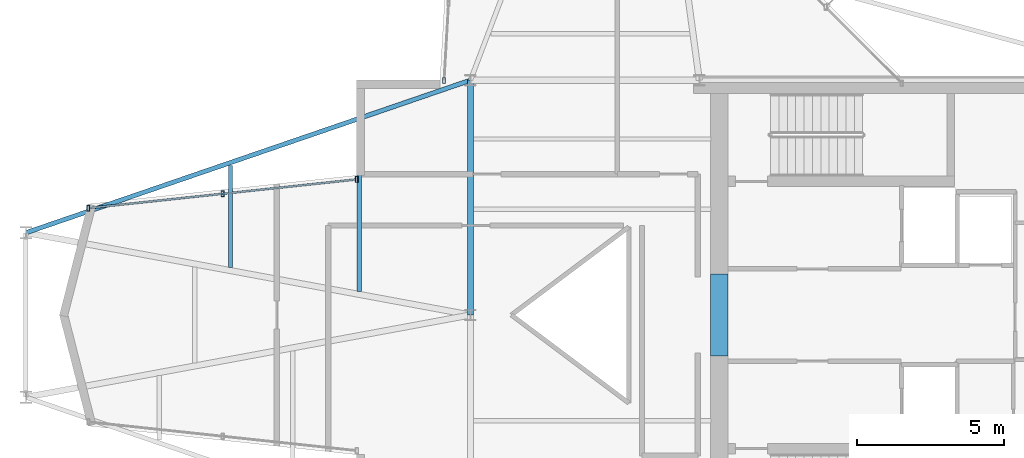
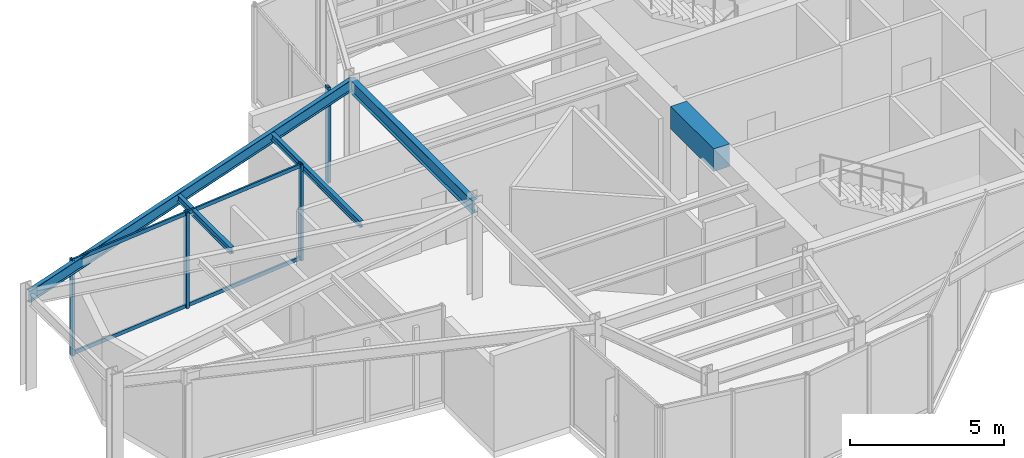
# One storey, part 4 of 13: 6 members, 5 beams, 2 elements without a shape of their own.
"""IFC4 building model written with IfcOpenShell, lengths in metres."""

from ifc_helpers import new_model, si_unit, direction, frame, origin, origin_2d, place, context, subcontext, project, spatial, rectangle, hollow_rectangle, i_section, extrude, material, layer, layer_set, material_profile, profile_set, type_object, element, aggregate, save


model = new_model("IFC4")

# Units and contexts
model_context = context("Model", 3, precision=1e-05, world=origin(), true_north=direction((0.0, 1.0)))
body_context = subcontext(model_context, "Body", "Model", "MODEL_VIEW")
ifc_project = project(units=[si_unit("LENGTHUNIT", "METRE"), si_unit("AREAUNIT", "SQUARE_METRE"), si_unit("VOLUMEUNIT", "CUBIC_METRE"), si_unit("PLANEANGLEUNIT", "RADIAN"), si_unit("MASSUNIT", "GRAM", prefix="KILO")], contexts=[model_context])

# Site, building, storey
site_placement = place(None, origin())
site = spatial("IfcSite", under=ifc_project, at=site_placement, CompositionType="ELEMENT")
building_placement = place(site_placement, origin())
building = spatial("IfcBuilding", under=site, at=building_placement, Name="Veymaron Broadcast Tower", CompositionType="ELEMENT")
storey_placement = place(building_placement, frame((0.0, 0.0, 307.35009765625)))
storey = spatial("IfcBuildingStorey", under=building, at=storey_placement, Name="L72", CompositionType="ELEMENT", Elevation=307.35009765625)

# Beams
ifc_material_1 = material(Name="Concrete C60/75", Category="concrete")
ifc_material_profile_1 = material_profile(ifc_material_1, rectangle(XDim=0.60009765625, YDim=0.89990234375, at=origin_2d()), Name="RC600X900")
ifc_profile_set_1 = profile_set([ifc_material_profile_1], Name="Concrete C60/75")
beam_type_1 = type_object("IfcBeamType", Name="BM-CB2", PredefinedType="LINTEL", material=ifc_profile_set_1)
beam_1_placement = place(storey_placement, frame((39.679931640625, 22.60009765625, 3.35986328125), z_axis=(0.0, 1.0, 0.0), x_axis=(-1.0, 0.0, 0.0)))
element("IfcBeam", 1, at=beam_1_placement, inside=storey, type_object=beam_type_1, Name="L72 Core Wall west coupling beam", PredefinedType="LINTEL", context=body_context, shape_type="SweptSolid", body=[
    extrude(rectangle(XDim=0.60009765625, YDim=0.89990234375, at=origin_2d()), origin(), (0.0, 0.0, 1.0), 2.7998046875),
])
ifc_material_2 = material(Name="Structural steel ASTM A992 Gr 50", Category="steel")
ifc_material_profile_2 = material_profile(ifc_material_2, i_section(OverallWidth=0.208984375, OverallDepth=0.528076171875, WebThickness=0.009521484375, FlangeThickness=0.01318359375, at=origin_2d()), Name="W530X82")
ifc_profile_set_2 = profile_set([ifc_material_profile_2], Name="Structural steel ASTM A992 Gr 50")
beam_type_2 = type_object("IfcBeamType", Name="BM-FG4", PredefinedType="BEAM", material=ifc_profile_set_2)
beam_2_placement = place(storey_placement, frame((31.199951171875, 24.0, 3.5458984375), z_axis=(0.0, 1.0, 0.0), x_axis=(-1.0, 0.0, 0.0)))
element("IfcBeam", 2, at=beam_2_placement, inside=storey, type_object=beam_type_2, Name="L72 primary structural floor girder", PredefinedType="BEAM", context=body_context, shape_type="SweptSolid", body=[
    extrude(i_section(OverallWidth=0.208984375, OverallDepth=0.528076171875, WebThickness=0.009521484375, FlangeThickness=0.01318359375, at=origin_2d()), origin(), (0.0, 0.0, 1.0), 8.0),
])
ifc_material_profile_3 = material_profile(ifc_material_2, i_section(OverallWidth=0.14599609375, OverallDepth=0.258056640625, WebThickness=0.006103515625, FlangeThickness=0.009033203125, at=origin_2d()), Name="W250X33")
ifc_profile_set_3 = profile_set([ifc_material_profile_3], Name="Structural steel ASTM A992 Gr 50")
beam_type_3 = type_object("IfcBeamType", Name="BM-JS4", PredefinedType="JOIST", material=ifc_profile_set_3)
beam_3_placement = place(storey_placement, frame((23.020263671875, 25.613037109375, 3.680908203125), z_axis=(0.0, 1.0, 0.0), x_axis=(-1.0, 0.0, 0.0)))
element("IfcBeam", 3, at=beam_3_placement, inside=storey, type_object=beam_type_3, Name="L72 Arm-A secondary joist 1N", PredefinedType="JOIST", context=body_context, shape_type="SweptSolid", body=[
    extrude(i_section(OverallWidth=0.14599609375, OverallDepth=0.258056640625, WebThickness=0.006103515625, FlangeThickness=0.009033203125, at=origin_2d()), origin(), (0.0, 0.0, 1.0), 3.47998046875),
])
beam_4_placement = place(storey_placement, frame((27.4130859375, 24.800537109375, 3.680908203125), z_axis=(0.0, 1.0, 0.0), x_axis=(-1.0, 0.0, 0.0)))
element("IfcBeam", 4, at=beam_4_placement, inside=storey, type_object=beam_type_3, Name="L72 Arm-A secondary joist 2N", PredefinedType="JOIST", context=body_context, shape_type="SweptSolid", body=[
    extrude(i_section(OverallWidth=0.14599609375, OverallDepth=0.258056640625, WebThickness=0.006103515625, FlangeThickness=0.009033203125, at=origin_2d()), origin(), (0.0, 0.0, 1.0), 5.800048828125),
])
ifc_material_profile_4 = material_profile(ifc_material_2, i_section(OverallWidth=0.154052734375, OverallDepth=0.458984375, WebThickness=0.009033203125, FlangeThickness=0.015380859375, at=origin_2d()), Name="W460X68")
ifc_profile_set_4 = profile_set([ifc_material_profile_4], Name="Structural steel ASTM A992 Gr 50")
beam_type_4 = type_object("IfcBeamType", Name="BM-SP2", PredefinedType="SPANDREL", material=ifc_profile_set_4)
beam_5_placement = place(storey_placement, frame((16.052490234375, 26.802001953125, 3.580322265625), z_axis=(0.94585811637, 0.324580380949, 0.0), x_axis=(-0.324580380949, 0.94585811637, 0.0)))
element("IfcBeam", 5, at=beam_5_placement, inside=storey, type_object=beam_type_4, Name="L72 primary structural floor girder", PredefinedType="SPANDREL", context=body_context, shape_type="SweptSolid", body=[
    extrude(i_section(OverallWidth=0.154052734375, OverallDepth=0.458984375, WebThickness=0.009033203125, FlangeThickness=0.015380859375, at=origin_2d()), origin(), (0.0, 0.0, 1.0), 16.014404296875),
])

# Curtain wall, member
ifc_material_3 = material(Name="Anodised aluminium AA 6063-T6 and laminated low-E dark glass", Category="aluminium")
ifc_layer = layer(ifc_material_3, 0.179931640625)
ifc_layer_set = layer_set([ifc_layer], Name="Anodised aluminium AA 6063-T6 and laminated low-E dark glass")
curtain_wall_type = type_object("IfcCurtainWallType", Name="CW-SYS-06", PredefinedType="NOTDEFINED", material=ifc_layer_set)
curtain_wall_1_placement = place(storey_placement, origin())
curtain_wall_1 = element("IfcCurtainWall", 6, at=curtain_wall_1_placement, inside=storey, type_object=curtain_wall_type, Name="L72 dark-glass curtain wall CW-L72-E8-1", PredefinedType="NOTDEFINED")
ifc_material_4 = material(Name="Anodised aluminium AA 6063-T6", Category="aluminium")
ifc_material_profile_5 = material_profile(ifc_material_4, hollow_rectangle(XDim=0.10009765625, YDim=0.199951171875, WallThickness=0.010009765625, at=origin_2d()), Name="RHS200X100X10")
ifc_profile_set_5 = profile_set([ifc_material_profile_5], Name="Anodised aluminium AA 6063-T6")
member_type_1 = type_object("IfcMemberType", Name="CW-MUL-01", PredefinedType="MULLION", material=ifc_profile_set_5)
member_1_placement = place(storey_placement, frame((30.2998046875, 31.991943359375, 0.0), z_axis=(0.0, 0.0, 1.0), x_axis=(1.0, 0.0, 0.0)))
member_1 = element("IfcMember", 7, at=member_1_placement, type_object=member_type_1, Name="CW-L72-E8-1 mullion 2", PredefinedType="MULLION", context=body_context, shape_type="SweptSolid", body=[
    extrude(hollow_rectangle(XDim=0.10009765625, YDim=0.199951171875, WallThickness=0.010009765625, at=origin_2d()), origin(), (0.0, 0.0, 1.0), 3.809814453125),
])
aggregate(curtain_wall_1, [member_1])

# Curtain wall, members
curtain_wall_2_placement = place(storey_placement, origin())
curtain_wall_2 = element("IfcCurtainWall", 8, at=curtain_wall_2_placement, inside=storey, type_object=curtain_wall_type, Name="L72 dark-glass curtain wall CW-L72-E11-1", PredefinedType="NOTDEFINED")
member_2_placement = place(storey_placement, frame((27.32861328125, 28.62060546875, 0.0), z_axis=(0.0, 0.0, 1.0), x_axis=(1.0, 0.0, 0.0)))
member_2 = element("IfcMember", 9, at=member_2_placement, type_object=member_type_1, Name="CW-L72-E11-1 mullion 0", PredefinedType="MULLION", context=body_context, shape_type="SweptSolid", body=[
    extrude(hollow_rectangle(XDim=0.10009765625, YDim=0.199951171875, WallThickness=0.010009765625, at=origin_2d()), origin(), (0.0, 0.0, 1.0), 3.809814453125),
])
member_3_placement = place(storey_placement, frame((22.751708984375, 28.130859375, 0.0), z_axis=(0.0, 0.0, 1.0), x_axis=(1.0, 0.0, 0.0)))
member_3 = element("IfcMember", 10, at=member_3_placement, type_object=member_type_1, Name="CW-L72-E11-1 mullion 1", PredefinedType="MULLION", context=body_context, shape_type="SweptSolid", body=[
    extrude(hollow_rectangle(XDim=0.10009765625, YDim=0.199951171875, WallThickness=0.010009765625, at=origin_2d()), origin(), (0.0, 0.0, 1.0), 3.809814453125),
])
member_4_placement = place(storey_placement, frame((18.1748046875, 27.64111328125, 0.0), z_axis=(0.0, 0.0, 1.0), x_axis=(1.0, 0.0, 0.0)))
member_4 = element("IfcMember", 11, at=member_4_placement, type_object=member_type_1, Name="CW-L72-E11-1 mullion 2", PredefinedType="MULLION", context=body_context, shape_type="SweptSolid", body=[
    extrude(hollow_rectangle(XDim=0.10009765625, YDim=0.199951171875, WallThickness=0.010009765625, at=origin_2d()), origin(), (0.0, 0.0, 1.0), 3.809814453125),
])
ifc_material_profile_6 = material_profile(ifc_material_4, hollow_rectangle(XDim=0.06494140625, YDim=0.14990234375, WallThickness=0.00390625, at=origin_2d()), Name="AL150X65X4")
ifc_profile_set_6 = profile_set([ifc_material_profile_6], Name="Anodised aluminium AA 6063-T6")
member_type_2 = type_object("IfcMemberType", Name="CW-TRN-01", PredefinedType="USERDEFINED", material=ifc_profile_set_6)
member_5_placement = place(storey_placement, frame((27.27880859375, 28.615478515625, 0.06982421875), z_axis=(-0.994319089673, -0.106440349081, 0.0), x_axis=(0.106440349081, -0.994319089673, 0.0)))
member_5 = element("IfcMember", 12, at=member_5_placement, type_object=member_type_2, Name="CW-L72-E11-1 transom B", ObjectType="TRANSOM", PredefinedType="USERDEFINED", context=body_context, shape_type="SweptSolid", body=[
    extrude(hollow_rectangle(XDim=0.06494140625, YDim=0.14990234375, WallThickness=0.00390625, at=origin_2d()), origin(), (0.0, 0.0, 1.0), 9.10595703125),
])
member_6_placement = place(storey_placement, frame((27.27880859375, 28.615478515625, 3.739990234375), z_axis=(-0.994319089673, -0.106440349081, 0.0), x_axis=(0.106440349081, -0.994319089673, 0.0)))
member_6 = element("IfcMember", 13, at=member_6_placement, type_object=member_type_2, Name="CW-L72-E11-1 transom T", ObjectType="TRANSOM", PredefinedType="USERDEFINED", context=body_context, shape_type="SweptSolid", body=[
    extrude(hollow_rectangle(XDim=0.06494140625, YDim=0.14990234375, WallThickness=0.00390625, at=origin_2d()), origin(), (0.0, 0.0, 1.0), 9.10595703125),
])
aggregate(curtain_wall_2, [member_2, member_3, member_4, member_5, member_6])

save(model, "model.ifc")
